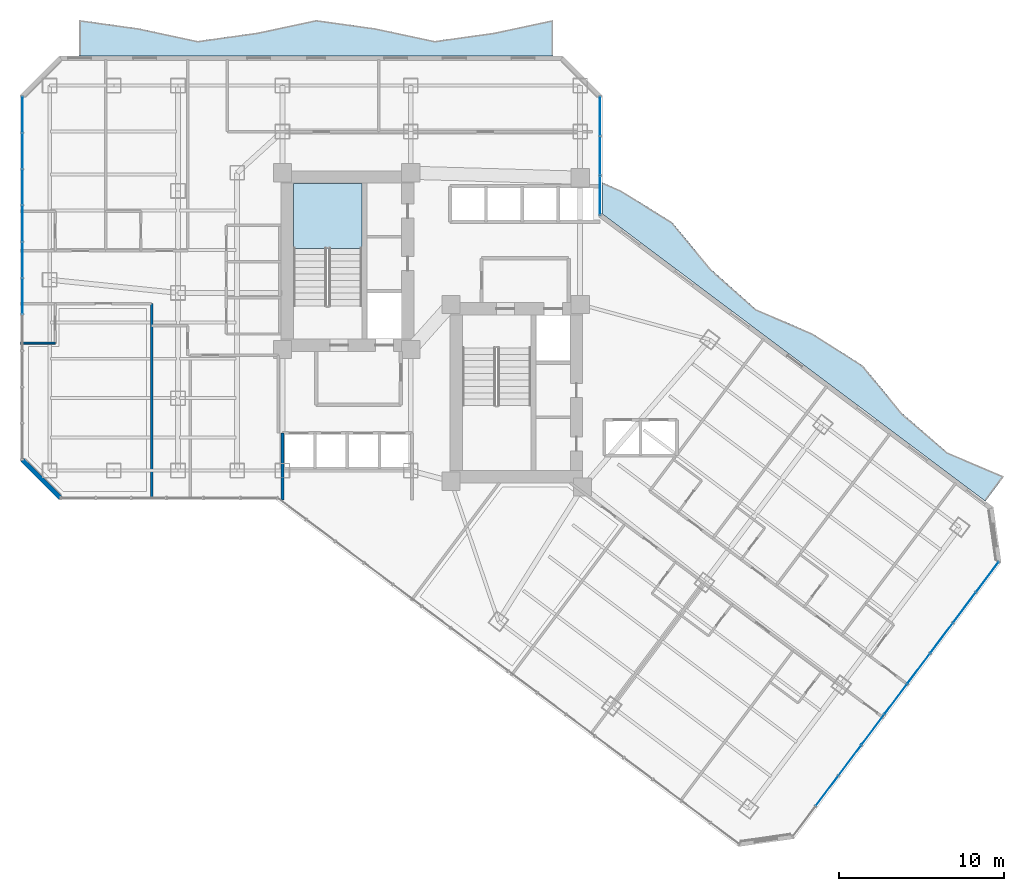
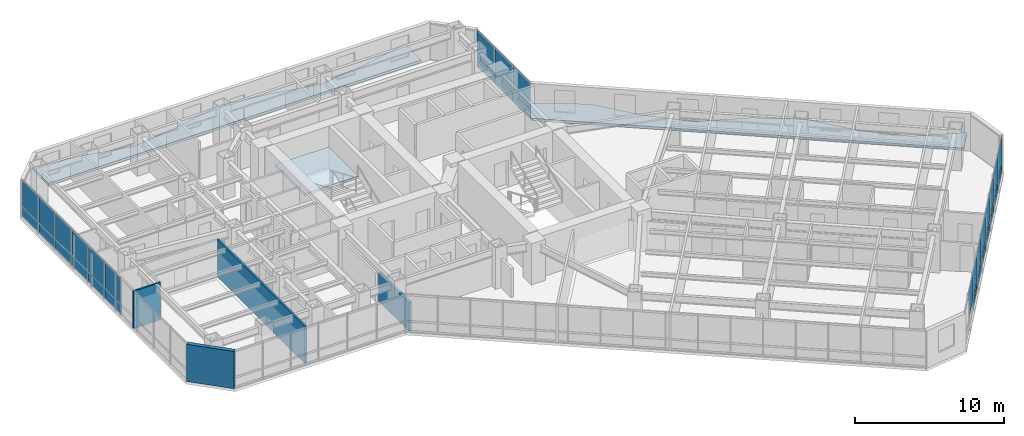
# One storey, part 27 of 36: 33 plates, 4 walls, 3 slabs, 4 elements without a shape of their own.
"""IFC4 building model written with IfcOpenShell, lengths in metres."""

from ifc_helpers import new_model, si_unit, direction, frame, frame_2d, origin, origin_2d, place, context, subcontext, project, spatial, polyline, rectangle, outline, extrude, material, layer, layer_set, type_object, element, aggregate, save


model = new_model("IFC4")

# Units and contexts
model_context = context("Model", 3, precision=1e-05, world=origin(), true_north=direction((0.0, 1.0)))
body_context = subcontext(model_context, "Body", "Model", "MODEL_VIEW")
ifc_project = project(units=[si_unit("LENGTHUNIT", "METRE"), si_unit("AREAUNIT", "SQUARE_METRE"), si_unit("VOLUMEUNIT", "CUBIC_METRE"), si_unit("PLANEANGLEUNIT", "RADIAN"), si_unit("MASSUNIT", "GRAM", prefix="KILO")], contexts=[model_context])

# Site, building, storey
site_placement = place(None, origin())
site = spatial("IfcSite", under=ifc_project, at=site_placement, CompositionType="ELEMENT")
building_placement = place(site_placement, origin())
building = spatial("IfcBuilding", under=site, at=building_placement, Name="Hatsunagi Terrace Concourse", CompositionType="ELEMENT")
storey_placement = place(building_placement, frame((0.0, 0.0, 88.0)))
storey = spatial("IfcBuildingStorey", under=building, at=storey_placement, Name="L23", CompositionType="ELEMENT", Elevation=88.0)

# Curtain wall, plates
ifc_material_1 = material(Name="Anodised Aluminium Alloy 6063-T5", Category="aluminium")
ifc_layer_1 = layer(ifc_material_1, 0.199951171875)
ifc_layer_set_1 = layer_set([ifc_layer_1], Name="HotelFacade_CW02")
curtain_wall_type = type_object("IfcCurtainWallType", Name="HotelFacade_CW02", PredefinedType="NOTDEFINED", material=ifc_layer_set_1)
curtain_wall_1_placement = place(storey_placement, origin())
curtain_wall_1 = element("IfcCurtainWall", 1, at=curtain_wall_1_placement, inside=storey, type_object=curtain_wall_type, Name="Unitised Curtain Wall CW-02 CW-L23-03", PredefinedType="NOTDEFINED")
ifc_material_2 = material(Name="Warm Terracotta Ceramic Spandrel Panel", Category="masonry")
ifc_layer_2 = layer(ifc_material_2, 0.031982421875)
ifc_layer_set_2 = layer_set([ifc_layer_2], Name="CurtainWallSpandrelPanel_32")
plate_type_1 = type_object("IfcPlateType", Name="CurtainWallSpandrelPanel_32", PredefinedType="SHEET", material=ifc_layer_set_2)
plate_1_placement = place(storey_placement, frame((68.39697265625, 18.72998046875, 0.030029296875), z_axis=(0.0, 0.0, 1.0), x_axis=(-0.599969314634, -0.800023013105, 0.0)))
plate_1 = element("IfcPlate", 2, at=plate_1_placement, type_object=plate_type_1, Name="Terracotta Spandrel Panel SPN-01", PredefinedType="SHEET", context=body_context, shape_type="SweptSolid", body=[
    extrude(rectangle(XDim=2.264892578125, YDim=0.031982421875, at=origin_2d()), origin(), (0.0, 0.0, 1.0), 0.7900390625),
])
plate_2_placement = place(storey_placement, frame((67.0048828125, 16.873046875, 0.030029296875), z_axis=(0.0, 0.0, 1.0), x_axis=(-0.599969314634, -0.800023013105, 0.0)))
plate_2 = element("IfcPlate", 3, at=plate_2_placement, type_object=plate_type_1, Name="Terracotta Spandrel Panel SPN-01", PredefinedType="SHEET", context=body_context, shape_type="SweptSolid", body=[
    extrude(rectangle(XDim=2.264892578125, YDim=0.031982421875, at=origin_2d()), origin(), (0.0, 0.0, 1.0), 0.7900390625),
])
plate_3_placement = place(storey_placement, frame((65.612060546875, 15.01708984375, 0.030029296875), z_axis=(0.0, 0.0, 1.0), x_axis=(-0.599969314634, -0.800023013105, 0.0)))
plate_3 = element("IfcPlate", 4, at=plate_3_placement, type_object=plate_type_1, Name="Terracotta Spandrel Panel SPN-01", PredefinedType="SHEET", context=body_context, shape_type="SweptSolid", body=[
    extrude(rectangle(XDim=2.264892578125, YDim=0.031982421875, at=origin_2d()), origin(), (0.0, 0.0, 1.0), 0.7900390625),
])
plate_4_placement = place(storey_placement, frame((64.219970703125, 13.159912109375, 0.030029296875), z_axis=(0.0, 0.0, 1.0), x_axis=(-0.599969314634, -0.800023013105, 0.0)))
plate_4 = element("IfcPlate", 5, at=plate_4_placement, type_object=plate_type_1, Name="Terracotta Spandrel Panel SPN-01", PredefinedType="SHEET", context=body_context, shape_type="SweptSolid", body=[
    extrude(rectangle(XDim=2.264892578125, YDim=0.031982421875, at=origin_2d()), origin(), (0.0, 0.0, 1.0), 0.7900390625),
])
plate_5_placement = place(storey_placement, frame((62.827880859375, 11.303955078125, 0.030029296875), z_axis=(0.0, 0.0, 1.0), x_axis=(-0.599969314634, -0.800023013105, 0.0)))
plate_5 = element("IfcPlate", 6, at=plate_5_placement, type_object=plate_type_1, Name="Terracotta Spandrel Panel SPN-01", PredefinedType="SHEET", context=body_context, shape_type="SweptSolid", body=[
    extrude(rectangle(XDim=2.264892578125, YDim=0.031982421875, at=origin_2d()), origin(), (0.0, 0.0, 1.0), 0.7900390625),
])
plate_6_placement = place(storey_placement, frame((61.43603515625, 9.447998046875, 0.030029296875), z_axis=(0.0, 0.0, 1.0), x_axis=(-0.599969314634, -0.800023013105, 0.0)))
plate_6 = element("IfcPlate", 7, at=plate_6_placement, type_object=plate_type_1, Name="Terracotta Spandrel Panel SPN-01", PredefinedType="SHEET", context=body_context, shape_type="SweptSolid", body=[
    extrude(rectangle(XDim=2.264892578125, YDim=0.031982421875, at=origin_2d()), origin(), (0.0, 0.0, 1.0), 0.7900390625),
])
plate_7_placement = place(storey_placement, frame((60.0439453125, 7.591064453125, 0.030029296875), z_axis=(0.0, 0.0, 1.0), x_axis=(-0.599969314634, -0.800023013105, 0.0)))
plate_7 = element("IfcPlate", 8, at=plate_7_placement, type_object=plate_type_1, Name="Terracotta Spandrel Panel SPN-01", PredefinedType="SHEET", context=body_context, shape_type="SweptSolid", body=[
    extrude(rectangle(XDim=2.264892578125, YDim=0.031982421875, at=origin_2d()), origin(), (0.0, 0.0, 1.0), 0.7900390625),
])

curtain_wall_2_placement = place(storey_placement, origin())
curtain_wall_2 = element("IfcCurtainWall", 9, at=curtain_wall_2_placement, inside=storey, type_object=curtain_wall_type, Name="Unitised Curtain Wall CW-02 CW-L23-09", PredefinedType="NOTDEFINED")
plate_8_placement = place(storey_placement, frame((9.739990234375, 35.7958984375, 0.030029296875), z_axis=(0.0, 0.0, 1.0), x_axis=(0.0, 1.0, 0.0)))
plate_8 = element("IfcPlate", 10, at=plate_8_placement, type_object=plate_type_1, Name="Terracotta Spandrel Panel SPN-01", PredefinedType="SHEET", context=body_context, shape_type="SweptSolid", body=[
    extrude(rectangle(XDim=2.153076171875, YDim=0.031982421875, at=origin_2d()), origin(), (0.0, 0.0, 1.0), 0.7900390625),
])
plate_9_placement = place(storey_placement, frame((9.739990234375, 38.00390625, 0.030029296875), z_axis=(0.0, 0.0, 1.0), x_axis=(0.0, 1.0, 0.0)))
plate_9 = element("IfcPlate", 11, at=plate_9_placement, type_object=plate_type_1, Name="Terracotta Spandrel Panel SPN-01", PredefinedType="SHEET", context=body_context, shape_type="SweptSolid", body=[
    extrude(rectangle(XDim=2.153076171875, YDim=0.031982421875, at=origin_2d()), origin(), (0.0, 0.0, 1.0), 0.7900390625),
])
plate_10_placement = place(storey_placement, frame((9.739990234375, 40.212890625, 0.030029296875), z_axis=(0.0, 0.0, 1.0), x_axis=(0.0, 1.0, 0.0)))
plate_10 = element("IfcPlate", 12, at=plate_10_placement, type_object=plate_type_1, Name="Terracotta Spandrel Panel SPN-01", PredefinedType="SHEET", context=body_context, shape_type="SweptSolid", body=[
    extrude(rectangle(XDim=2.153076171875, YDim=0.031982421875, at=origin_2d()), origin(), (0.0, 0.0, 1.0), 0.7900390625),
])
plate_11_placement = place(storey_placement, frame((9.739990234375, 42.4208984375, 0.030029296875), z_axis=(0.0, 0.0, 1.0), x_axis=(0.0, 1.0, 0.0)))
plate_11 = element("IfcPlate", 13, at=plate_11_placement, type_object=plate_type_1, Name="Terracotta Spandrel Panel SPN-01", PredefinedType="SHEET", context=body_context, shape_type="SweptSolid", body=[
    extrude(rectangle(XDim=2.153076171875, YDim=0.031982421875, at=origin_2d()), origin(), (0.0, 0.0, 1.0), 0.7900390625),
])
plate_12_placement = place(storey_placement, frame((9.739990234375, 44.62890625, 0.030029296875), z_axis=(0.0, 0.0, 1.0), x_axis=(0.0, 1.0, 0.0)))
plate_12 = element("IfcPlate", 14, at=plate_12_placement, type_object=plate_type_1, Name="Terracotta Spandrel Panel SPN-01", PredefinedType="SHEET", context=body_context, shape_type="SweptSolid", body=[
    extrude(rectangle(XDim=2.153076171875, YDim=0.031982421875, at=origin_2d()), origin(), (0.0, 0.0, 1.0), 0.7900390625),
])
plate_13_placement = place(storey_placement, frame((9.739990234375, 46.837890625, 0.030029296875), z_axis=(0.0, 0.0, 1.0), x_axis=(0.0, 1.0, 0.0)))
plate_13 = element("IfcPlate", 15, at=plate_13_placement, type_object=plate_type_1, Name="Terracotta Spandrel Panel SPN-01", PredefinedType="SHEET", context=body_context, shape_type="SweptSolid", body=[
    extrude(rectangle(XDim=2.153076171875, YDim=0.031982421875, at=origin_2d()), origin(), (0.0, 0.0, 1.0), 0.7900390625),
])

curtain_wall_3_placement = place(storey_placement, origin())
curtain_wall_3 = element("IfcCurtainWall", 16, at=curtain_wall_3_placement, inside=storey, type_object=curtain_wall_type, Name="Unitised Curtain Wall CW-02 CW-L23-13", PredefinedType="NOTDEFINED")
plate_14_placement = place(storey_placement, frame((44.860107421875, 46.739990234375, 0.030029296875), z_axis=(0.0, 0.0, 1.0), x_axis=(0.0, -1.0, 0.0)))
plate_14 = element("IfcPlate", 17, at=plate_14_placement, type_object=plate_type_1, Name="Terracotta Spandrel Panel SPN-01", PredefinedType="SHEET", context=body_context, shape_type="SweptSolid", body=[
    extrude(rectangle(XDim=2.34912109375, YDim=0.031982421875, at=origin_2d()), origin(), (0.0, 0.0, 1.0), 0.7900390625),
])
plate_15_placement = place(storey_placement, frame((44.860107421875, 44.3359375, 0.030029296875), z_axis=(0.0, 0.0, 1.0), x_axis=(0.0, -1.0, 0.0)))
plate_15 = element("IfcPlate", 18, at=plate_15_placement, type_object=plate_type_1, Name="Terracotta Spandrel Panel SPN-01", PredefinedType="SHEET", context=body_context, shape_type="SweptSolid", body=[
    extrude(rectangle(XDim=2.34912109375, YDim=0.031982421875, at=origin_2d()), origin(), (0.0, 0.0, 1.0), 0.7900390625),
])
plate_16_placement = place(storey_placement, frame((44.860107421875, 41.931884765625, 0.030029296875), z_axis=(0.0, 0.0, 1.0), x_axis=(0.0, -1.0, 0.0)))
plate_16 = element("IfcPlate", 19, at=plate_16_placement, type_object=plate_type_1, Name="Terracotta Spandrel Panel SPN-01", PredefinedType="SHEET", context=body_context, shape_type="SweptSolid", body=[
    extrude(rectangle(XDim=2.34912109375, YDim=0.031982421875, at=origin_2d()), origin(), (0.0, 0.0, 1.0), 0.7900390625),
])

# Plate
ifc_material_3 = material(Name="Low-E Double Insulating Glass 28mm", Category="glass")
ifc_layer_3 = layer(ifc_material_3, 0.028076171875)
ifc_layer_set_3 = layer_set([ifc_layer_3], Name="CurtainWallVisionGlass_28")
plate_type_2 = type_object("IfcPlateType", Name="CurtainWallVisionGlass_28", PredefinedType="CURTAIN_PANEL", material=ifc_layer_set_3)
plate_17_placement = place(storey_placement, frame((68.39697265625, 18.72998046875, 0.8798828125), z_axis=(0.0, 0.0, 1.0), x_axis=(-0.599969314634, -0.800023013105, 0.0)))
plate_17 = element("IfcPlate", 20, at=plate_17_placement, type_object=plate_type_2, Name="Low-E Vision Glass Panel GLZ-01", PredefinedType="CURTAIN_PANEL", context=body_context, shape_type="SweptSolid", body=[
    extrude(rectangle(XDim=2.264892578125, YDim=0.028076171875, at=origin_2d()), origin(), (0.0, 0.0, 1.0), 2.139892578125),
])

plate_18_placement = place(storey_placement, frame((67.0048828125, 16.873046875, 0.8798828125), z_axis=(0.0, 0.0, 1.0), x_axis=(-0.599969314634, -0.800023013105, 0.0)))
plate_18 = element("IfcPlate", 21, at=plate_18_placement, type_object=plate_type_2, Name="Low-E Vision Glass Panel GLZ-01", PredefinedType="CURTAIN_PANEL", context=body_context, shape_type="SweptSolid", body=[
    extrude(rectangle(XDim=2.264892578125, YDim=0.028076171875, at=origin_2d()), origin(), (0.0, 0.0, 1.0), 2.139892578125),
])

plate_19_placement = place(storey_placement, frame((65.612060546875, 15.01708984375, 0.8798828125), z_axis=(0.0, 0.0, 1.0), x_axis=(-0.599969314634, -0.800023013105, 0.0)))
plate_19 = element("IfcPlate", 22, at=plate_19_placement, type_object=plate_type_2, Name="Low-E Vision Glass Panel GLZ-01", PredefinedType="CURTAIN_PANEL", context=body_context, shape_type="SweptSolid", body=[
    extrude(rectangle(XDim=2.264892578125, YDim=0.028076171875, at=origin_2d()), origin(), (0.0, 0.0, 1.0), 2.139892578125),
])

plate_20_placement = place(storey_placement, frame((64.219970703125, 13.159912109375, 0.8798828125), z_axis=(0.0, 0.0, 1.0), x_axis=(-0.599969314634, -0.800023013105, 0.0)))
plate_20 = element("IfcPlate", 23, at=plate_20_placement, type_object=plate_type_2, Name="Low-E Vision Glass Panel GLZ-01", PredefinedType="CURTAIN_PANEL", context=body_context, shape_type="SweptSolid", body=[
    extrude(rectangle(XDim=2.264892578125, YDim=0.028076171875, at=origin_2d()), origin(), (0.0, 0.0, 1.0), 2.139892578125),
])

plate_21_placement = place(storey_placement, frame((62.827880859375, 11.303955078125, 0.8798828125), z_axis=(0.0, 0.0, 1.0), x_axis=(-0.599969314634, -0.800023013105, 0.0)))
plate_21 = element("IfcPlate", 24, at=plate_21_placement, type_object=plate_type_2, Name="Low-E Vision Glass Panel GLZ-01", PredefinedType="CURTAIN_PANEL", context=body_context, shape_type="SweptSolid", body=[
    extrude(rectangle(XDim=2.264892578125, YDim=0.028076171875, at=origin_2d()), origin(), (0.0, 0.0, 1.0), 2.139892578125),
])

plate_22_placement = place(storey_placement, frame((61.43603515625, 9.447998046875, 0.8798828125), z_axis=(0.0, 0.0, 1.0), x_axis=(-0.599969314634, -0.800023013105, 0.0)))
plate_22 = element("IfcPlate", 25, at=plate_22_placement, type_object=plate_type_2, Name="Low-E Vision Glass Panel GLZ-01", PredefinedType="CURTAIN_PANEL", context=body_context, shape_type="SweptSolid", body=[
    extrude(rectangle(XDim=2.264892578125, YDim=0.028076171875, at=origin_2d()), origin(), (0.0, 0.0, 1.0), 2.139892578125),
])

plate_23_placement = place(storey_placement, frame((60.0439453125, 7.591064453125, 0.8798828125), z_axis=(0.0, 0.0, 1.0), x_axis=(-0.599969314634, -0.800023013105, 0.0)))
plate_23 = element("IfcPlate", 26, at=plate_23_placement, type_object=plate_type_2, Name="Low-E Vision Glass Panel GLZ-01", PredefinedType="CURTAIN_PANEL", context=body_context, shape_type="SweptSolid", body=[
    extrude(rectangle(XDim=2.264892578125, YDim=0.028076171875, at=origin_2d()), origin(), (0.0, 0.0, 1.0), 2.139892578125),
])

plate_24_placement = place(storey_placement, frame((58.65087890625, 5.735107421875, 0.8798828125), z_axis=(0.0, 0.0, 1.0), x_axis=(-0.599969314634, -0.800023013105, 0.0)))
plate_24 = element("IfcPlate", 27, at=plate_24_placement, type_object=plate_type_2, Name="Low-E Vision Glass Panel GLZ-01", PredefinedType="CURTAIN_PANEL", context=body_context, shape_type="SweptSolid", body=[
    extrude(rectangle(XDim=2.264892578125, YDim=0.028076171875, at=origin_2d()), origin(), (0.0, 0.0, 1.0), 2.139892578125),
])

aggregate(curtain_wall_1, [plate_1, plate_17, plate_2, plate_18, plate_3, plate_19, plate_4, plate_20, plate_5, plate_21, plate_6, plate_22, plate_7, plate_23, plate_24])

plate_25_placement = place(storey_placement, frame((9.739990234375, 35.7958984375, 0.8798828125), z_axis=(0.0, 0.0, 1.0), x_axis=(0.0, 1.0, 0.0)))
plate_25 = element("IfcPlate", 28, at=plate_25_placement, type_object=plate_type_2, Name="Low-E Vision Glass Panel GLZ-01", PredefinedType="CURTAIN_PANEL", context=body_context, shape_type="SweptSolid", body=[
    extrude(rectangle(XDim=2.153076171875, YDim=0.028076171875, at=origin_2d()), origin(), (0.0, 0.0, 1.0), 2.139892578125),
])

plate_26_placement = place(storey_placement, frame((9.739990234375, 38.00390625, 0.8798828125), z_axis=(0.0, 0.0, 1.0), x_axis=(0.0, 1.0, 0.0)))
plate_26 = element("IfcPlate", 29, at=plate_26_placement, type_object=plate_type_2, Name="Low-E Vision Glass Panel GLZ-01", PredefinedType="CURTAIN_PANEL", context=body_context, shape_type="SweptSolid", body=[
    extrude(rectangle(XDim=2.153076171875, YDim=0.028076171875, at=origin_2d()), origin(), (0.0, 0.0, 1.0), 2.139892578125),
])

plate_27_placement = place(storey_placement, frame((9.739990234375, 40.212890625, 0.8798828125), z_axis=(0.0, 0.0, 1.0), x_axis=(0.0, 1.0, 0.0)))
plate_27 = element("IfcPlate", 30, at=plate_27_placement, type_object=plate_type_2, Name="Low-E Vision Glass Panel GLZ-01", PredefinedType="CURTAIN_PANEL", context=body_context, shape_type="SweptSolid", body=[
    extrude(rectangle(XDim=2.153076171875, YDim=0.028076171875, at=origin_2d()), origin(), (0.0, 0.0, 1.0), 2.139892578125),
])

plate_28_placement = place(storey_placement, frame((9.739990234375, 42.4208984375, 0.8798828125), z_axis=(0.0, 0.0, 1.0), x_axis=(0.0, 1.0, 0.0)))
plate_28 = element("IfcPlate", 31, at=plate_28_placement, type_object=plate_type_2, Name="Low-E Vision Glass Panel GLZ-01", PredefinedType="CURTAIN_PANEL", context=body_context, shape_type="SweptSolid", body=[
    extrude(rectangle(XDim=2.153076171875, YDim=0.028076171875, at=origin_2d()), origin(), (0.0, 0.0, 1.0), 2.139892578125),
])

plate_29_placement = place(storey_placement, frame((9.739990234375, 44.62890625, 0.8798828125), z_axis=(0.0, 0.0, 1.0), x_axis=(0.0, 1.0, 0.0)))
plate_29 = element("IfcPlate", 32, at=plate_29_placement, type_object=plate_type_2, Name="Low-E Vision Glass Panel GLZ-01", PredefinedType="CURTAIN_PANEL", context=body_context, shape_type="SweptSolid", body=[
    extrude(rectangle(XDim=2.153076171875, YDim=0.028076171875, at=origin_2d()), origin(), (0.0, 0.0, 1.0), 2.139892578125),
])

plate_30_placement = place(storey_placement, frame((9.739990234375, 46.837890625, 0.8798828125), z_axis=(0.0, 0.0, 1.0), x_axis=(0.0, 1.0, 0.0)))
plate_30 = element("IfcPlate", 33, at=plate_30_placement, type_object=plate_type_2, Name="Low-E Vision Glass Panel GLZ-01", PredefinedType="CURTAIN_PANEL", context=body_context, shape_type="SweptSolid", body=[
    extrude(rectangle(XDim=2.153076171875, YDim=0.028076171875, at=origin_2d()), origin(), (0.0, 0.0, 1.0), 2.139892578125),
])

aggregate(curtain_wall_2, [plate_8, plate_25, plate_9, plate_26, plate_10, plate_27, plate_11, plate_28, plate_12, plate_29, plate_13, plate_30])

plate_31_placement = place(storey_placement, frame((44.860107421875, 46.739990234375, 0.8798828125), z_axis=(0.0, 0.0, 1.0), x_axis=(0.0, -1.0, 0.0)))
plate_31 = element("IfcPlate", 34, at=plate_31_placement, type_object=plate_type_2, Name="Low-E Vision Glass Panel GLZ-01", PredefinedType="CURTAIN_PANEL", context=body_context, shape_type="SweptSolid", body=[
    extrude(rectangle(XDim=2.34912109375, YDim=0.028076171875, at=origin_2d()), origin(), (0.0, 0.0, 1.0), 2.139892578125),
])

plate_32_placement = place(storey_placement, frame((44.860107421875, 44.3359375, 0.8798828125), z_axis=(0.0, 0.0, 1.0), x_axis=(0.0, -1.0, 0.0)))
plate_32 = element("IfcPlate", 35, at=plate_32_placement, type_object=plate_type_2, Name="Low-E Vision Glass Panel GLZ-01", PredefinedType="CURTAIN_PANEL", context=body_context, shape_type="SweptSolid", body=[
    extrude(rectangle(XDim=2.34912109375, YDim=0.028076171875, at=origin_2d()), origin(), (0.0, 0.0, 1.0), 2.139892578125),
])

plate_33_placement = place(storey_placement, frame((44.860107421875, 41.931884765625, 0.8798828125), z_axis=(0.0, 0.0, 1.0), x_axis=(0.0, -1.0, 0.0)))
plate_33 = element("IfcPlate", 36, at=plate_33_placement, type_object=plate_type_2, Name="Low-E Vision Glass Panel GLZ-01", PredefinedType="CURTAIN_PANEL", context=body_context, shape_type="SweptSolid", body=[
    extrude(rectangle(XDim=2.34912109375, YDim=0.028076171875, at=origin_2d()), origin(), (0.0, 0.0, 1.0), 2.139892578125),
])

aggregate(curtain_wall_3, [plate_14, plate_31, plate_15, plate_32, plate_16, plate_33])

# Stair, slab
ifc_material_4 = material(Name="Concrete Fc42", Category="concrete")
stair_type = type_object("IfcStairType", Name="DoglegExitStair_Tower2000_20R_167", PredefinedType="HALF_TURN_STAIR", material=ifc_material_4)
stair_placement = place(storey_placement, origin())
stair = element("IfcStair", 37, at=stair_placement, inside=storey, type_object=stair_type, Name="L23 Core A Protected Exit Stair ST-A", PredefinedType="HALF_TURN_STAIR")
ifc_material_5 = material(Name="Concrete Fc42", Category="concrete")
ifc_layer_4 = layer(ifc_material_5, 0.199951171875)
ifc_layer_set_4 = layer_set([ifc_layer_4], Name="DoglegStairLanding_Tower2000")
slab_type_1 = type_object("IfcSlabType", Name="DoglegStairLanding_Tower2000", PredefinedType="LANDING", material=ifc_layer_set_4)
slab_1_placement = place(storey_placement, frame((0.0, 0.0, 1.47509765625)))
slab_1 = element("IfcSlab", 38, at=slab_1_placement, type_object=slab_type_1, Name="ST-A landing 1", PredefinedType="LANDING", context=body_context, shape_type="SweptSolid", body=[
    extrude(outline(polyline([(30.3798828125, 38.7099609375), (30.3798828125, 42.659912109375), (26.22998046875, 42.659912109375), (26.22998046875, 38.7099609375), (30.3798828125, 38.7099609375)])), origin(), (0.0, 0.0, 1.0), 0.199951171875),
])
aggregate(stair, [slab_1])

# Slabs
ifc_material_6 = material(Name="Concrete Fc42", Category="concrete")
ifc_layer_5 = layer(ifc_material_6, 0.199951171875)
ifc_layer_set_5 = layer_set([ifc_layer_5], Name="EngawaBalconySlab_Fc42_200")
slab_type_2 = type_object("IfcSlabType", Name="EngawaBalconySlab_Fc42_200", PredefinedType="FLOOR", material=ifc_layer_set_5)
slab_2_placement = place(storey_placement, frame((0.0, 0.0, -0.199951171875)))
element("IfcSlab", 39, at=slab_2_placement, inside=storey, type_object=slab_type_2, Name="Engawa Balcony Slab BAL-L23-BN", PredefinedType="FLOOR", context=body_context, shape_type="SweptSolid", body=[
    extrude(outline(polyline([(13.199951171875, 52.5859375), (13.199951171875, 50.39990234375), (42.0, 50.39990234375), (42.0, 52.5859375), (38.39990234375, 51.81494140625), (34.800048828125, 51.31396484375), (31.199951171875, 52.0849609375), (27.60009765625, 52.5859375), (24.0, 51.81494140625), (20.39990234375, 51.31396484375), (16.800048828125, 52.0849609375), (13.199951171875, 52.5859375)])), origin(), (0.0, 0.0, 1.0), 0.199951171875),
])
slab_3_placement = place(storey_placement, frame((0.0, 0.0, -0.199951171875)))
element("IfcSlab", 40, at=slab_3_placement, inside=storey, type_object=slab_type_2, Name="Engawa Balcony Slab BAL-L23-BSE", PredefinedType="FLOOR", context=body_context, shape_type="SweptSolid", body=[
    extrude(outline(polyline([(46.114013671875, 42.22998046875), (44.99609375, 42.717041015625), (44.99609375, 40.802978515625), (68.280029296875, 23.340087890625), (69.407958984375, 24.843994140625), (65.964111328125, 26.30810546875), (63.208984375, 28.68896484375), (60.833984375, 31.5791015625), (57.760986328125, 33.537109375), (54.326904296875, 35.013916015625), (51.60205078125, 37.43603515625), (49.218017578125, 40.31298828125), (46.114013671875, 42.22998046875)])), origin(), (0.0, 0.0, 1.0), 0.199951171875),
])

# Walls
ifc_material_7 = material(Name="Acoustic mineral board", Category="gypsum")
ifc_layer_6 = layer(ifc_material_7, 0.1201171875)
ifc_layer_set_6 = layer_set([ifc_layer_6], Name="PartitionWall_EI30_120")
wall_type_1 = type_object("IfcWallType", Name="PartitionWall_EI30_120", PredefinedType="PARTITIONING", material=ifc_layer_set_6)
wall_1_placement = place(storey_placement, frame((9.639892578125, 32.949951171875, 0.0), z_axis=(0.0, 0.0, 1.0), x_axis=(1.0, 0.0, 0.0)))
element("IfcWall", 41, at=wall_1_placement, inside=storey, type_object=wall_type_1, Name="Interior Partition IW-L23-060", PredefinedType="PARTITIONING", context=body_context, shape_type="SweptSolid", body=[
    extrude(rectangle(XDim=2.110107421875, YDim=0.1201171875, at=frame_2d((1.05517578125, 0.0))), origin(), (0.0, 0.0, 1.0), 3.050048828125),
])
ifc_material_8 = material(Name="Acoustic mineral board", Category="gypsum")
ifc_layer_7 = layer(ifc_material_8, 0.14990234375)
ifc_layer_set_7 = layer_set([ifc_layer_7], Name="PartitionWall_EI60_150")
wall_type_2 = type_object("IfcWallType", Name="PartitionWall_EI60_150", PredefinedType="PARTITIONING", material=ifc_layer_set_7)
wall_2_placement = place(storey_placement, frame((17.60009765625, 23.60009765625, 0.0), z_axis=(0.0, 0.0, 1.0), x_axis=(0.0, 1.0, 0.0)))
element("IfcWall", 42, at=wall_2_placement, inside=storey, type_object=wall_type_2, Name="Interior Partition IW-L23-061", PredefinedType="PARTITIONING", context=body_context, shape_type="SweptSolid", body=[
    extrude(rectangle(XDim=11.75, YDim=0.14990234375, at=frame_2d((5.875, 0.0))), origin(), (0.0, 0.0, 1.0), 3.050048828125),
])
ifc_material_9 = material(Name="Acoustic mineral board", Category="gypsum")
ifc_layer_8 = layer(ifc_material_9, 0.199951171875)
ifc_layer_set_8 = layer_set([ifc_layer_8], Name="ShaftWall_EI120_200")
wall_type_3 = type_object("IfcWallType", Name="ShaftWall_EI120_200", PredefinedType="STANDARD", material=ifc_layer_set_8)
wall_3_placement = place(storey_placement, frame((25.550048828125, 23.39990234375, 0.0), z_axis=(0.0, 0.0, 1.0), x_axis=(0.0, 1.0, 0.0)))
element("IfcWall", 43, at=wall_3_placement, inside=storey, type_object=wall_type_3, Name="Interior Partition IW-L23-011", PredefinedType="STANDARD", context=body_context, shape_type="SweptSolid", body=[
    extrude(rectangle(XDim=4.080078125, YDim=0.199951171875, at=frame_2d((2.0400390625, 0.0))), origin(), (0.0, 0.0, 1.0), 2.344970703125),
])
ifc_material_10 = material(Name="Autoclaved Lightweight Concrete and Terracotta Cladding", Category="masonry")
ifc_layer_9 = layer(ifc_material_10, 0.280029296875)
ifc_layer_set_9 = layer_set([ifc_layer_9], Name="TerracottaSpandrelWall_280")
wall_type_4 = type_object("IfcWallType", Name="TerracottaSpandrelWall_280", PredefinedType="STANDARD", material=ifc_layer_set_9)
wall_4_placement = place(storey_placement, frame((12.05810546875, 23.5400390625, 0.0), z_axis=(0.0, 0.0, 1.0), x_axis=(-0.707144017911, 0.707069542501, 0.0)))
element("IfcWall", 44, at=wall_4_placement, inside=storey, type_object=wall_type_4, Name="Exterior Spandrel Wall EW-L23-08", PredefinedType="STANDARD", context=body_context, shape_type="SweptSolid", body=[
    extrude(rectangle(XDim=3.278076171875, YDim=0.280029296875, at=frame_2d((1.63916015625, 0.0))), origin(), (0.0, 0.0, 1.0), 3.050048828125),
])

save(model, "model.ifc")
